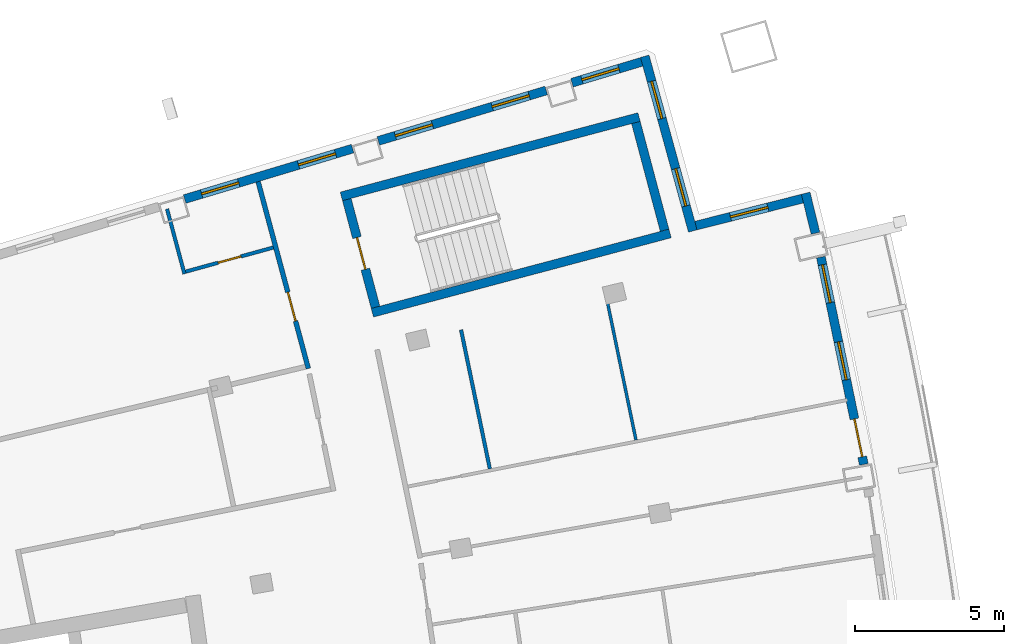
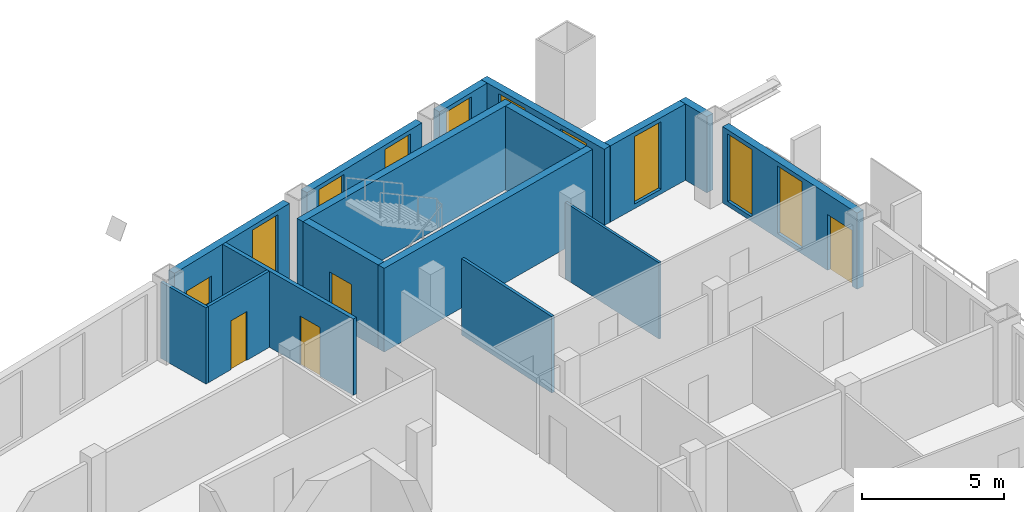
# One storey, part 13 of 17: 16 walls, 10 windows, 4 doors, 14 openings.
"""IFC4 building model written with IfcOpenShell, lengths in metres."""

from ifc_helpers import new_model, si_unit, direction, frame, frame_2d, origin, place, context, subcontext, project, spatial, rectangle, extrude, material, layer, layer_set, type_object, element, fill, save


model = new_model("IFC4")

# Units and contexts
model_context = context("Model", 3, precision=1e-05, world=origin(), true_north=direction((0.0, 1.0)))
body_context = subcontext(model_context, "Body", "Model", "MODEL_VIEW")
ifc_project = project(units=[si_unit("LENGTHUNIT", "METRE"), si_unit("AREAUNIT", "SQUARE_METRE"), si_unit("VOLUMEUNIT", "CUBIC_METRE"), si_unit("PLANEANGLEUNIT", "RADIAN"), si_unit("MASSUNIT", "GRAM", prefix="KILO")], contexts=[model_context])

# Site, building, storey
site_placement = place(None, origin())
site = spatial("IfcSite", under=ifc_project, at=site_placement, CompositionType="ELEMENT")
building_placement = place(site_placement, origin())
building = spatial("IfcBuilding", under=site, at=building_placement, Name="Alderwake Tower", CompositionType="ELEMENT")
storey_placement = place(building_placement, frame((0.0, 0.0, 274.39990234375)))
storey = spatial("IfcBuildingStorey", under=building, at=storey_placement, Name="L68", CompositionType="ELEMENT", Elevation=274.39990234375)

# Walls
ifc_material_1 = material(Name="Concrete C70/85", Category="concrete")
ifc_layer_1 = layer(ifc_material_1, 0.300048828125)
ifc_layer_set_1 = layer_set([ifc_layer_1], Name="Core wall stair enclosure 300 C70-85")
wall_type_1 = type_object("IfcWallType", Name="Core wall stair enclosure 300 C70-85", PredefinedType="SHEAR", material=ifc_layer_set_1)
for number, where, z_axis, x_axis, name in (
    (1, (36.71142578125, 94.182373046875, 0.0), (0.0, 0.0, 1.0), (0.966309214305, 0.257383958996, 0.0), "Core wall CW.082"),
    (2, (37.75390625, 90.268798828125, 0.0), (0.0, 0.0, 1.0), (0.966309214305, 0.257383958996, 0.0), "Core wall CW.084"),
):
    element("IfcWall", number, at=place(storey_placement, frame(where, z_axis=z_axis, x_axis=x_axis)), inside=storey, type_object=wall_type_1, Name=name, PredefinedType="SHEAR", context=body_context, shape_type="SweptSolid", body=[
        extrude(rectangle(XDim=10.360107421875, YDim=0.300048828125, at=frame_2d((5.18017578125, 0.0))), origin(), (0.0, 0.0, 1.0), 3.60009765625),
    ])

# Wall, opening, door
wall_1_placement = place(storey_placement, frame((37.8603515625, 90.452392578125, 0.0), z_axis=(0.0, 0.0, 1.0), x_axis=(-0.257411420208, 0.966301899381, 0.0)))
wall_1 = element("IfcWall", 3, at=wall_1_placement, inside=storey, type_object=wall_type_1, Name="Core wall CW.083", PredefinedType="SHEAR", context=body_context, shape_type="SweptSolid", body=[
    extrude(rectangle(XDim=3.750244140625, YDim=0.300048828125, at=frame_2d((1.875, 0.0))), origin(), (0.0, 0.0, 1.0), 3.60009765625),
])
opening_1_placement = place(wall_1_placement, frame((1.324951171875, 0.0, 0.0)))
opening_1 = element("IfcOpeningElement", 4, at=opening_1_placement, cuts=wall_1, Name="Opening C062", PredefinedType="OPENING", context=body_context, shape_type="SweptSolid", body=[
    extrude(rectangle(XDim=1.10009765625, YDim=2.10009765625, at=frame_2d((0.550048828125, 1.050048828125))), frame((0.0, 0.159912109375, 0.0), z_axis=(0.0, -1.0, 0.0), x_axis=(1.0, 0.0, 0.0)), (0.0, 0.0, 1.0), 0.320068359375),
])
ifc_material_2 = material(Name="Steel-framed fire door leaf", Category="steel")
door_type_1 = type_object("IfcDoorType", Name="Core stair door 1100 fire-rated", OperationType="SINGLE_SWING_LEFT", PredefinedType="DOOR", material=ifc_material_2)
door_1_placement = place(opening_1_placement, origin())
door_1 = element("IfcDoor", 5, at=door_1_placement, inside=storey, type_object=door_type_1, Name="Stair door", OperationType="SINGLE_SWING_RIGHT", OverallHeight=2.10009765625, OverallWidth=1.10009765625, PredefinedType="DOOR", context=body_context, shape_type="SweptSolid", body=[
    extrude(rectangle(XDim=1.10009765625, YDim=2.10009765625, at=frame_2d((0.550048828125, 1.050048828125))), frame((0.0, 0.02490234375, 0.0), z_axis=(0.0, -1.0, 0.0), x_axis=(1.0, 0.0, 0.0)), (0.0, 0.0, 1.0), 0.050048828125),
])
fill(opening_1, door_1)

# Wall
wall_2_placement = place(storey_placement, frame((47.581298828125, 93.041748046875, 0.0), z_axis=(0.0, 0.0, 1.0), x_axis=(-0.257366821694, 0.966313778796, 0.0)))
element("IfcWall", 6, at=wall_2_placement, inside=storey, type_object=wall_type_1, Name="Core wall CW.081", PredefinedType="SHEAR", context=body_context, shape_type="SweptSolid", body=[
    extrude(rectangle(XDim=3.749755859375, YDim=0.300048828125, at=frame_2d((1.875, 0.0))), origin(), (0.0, 0.0, 1.0), 3.60009765625),
])

# Wall, opening, door
ifc_material_3 = material(Name="Gypsum board on metal studs, rated")
ifc_layer_2 = layer(ifc_material_3, 0.159912109375)
ifc_layer_set_2 = layer_set([ifc_layer_2], Name="Corridor wall 160")
wall_type_2 = type_object("IfcWallType", Name="Corridor wall 160", PredefinedType="PARTITIONING", material=ifc_layer_set_2)
wall_3_placement = place(storey_placement, frame((35.600830078125, 88.392578125, 0.0), z_axis=(0.0, 0.0, 1.0), x_axis=(-0.259509260101, 0.965740619381, 0.0)))
wall_3 = element("IfcWall", 7, at=wall_3_placement, inside=storey, type_object=wall_type_2, Name="WL/L68/W12", PredefinedType="PARTITIONING", context=body_context, shape_type="SweptSolid", body=[
    extrude(rectangle(XDim=6.50732421875, YDim=0.159912109375, at=frame_2d((3.253662109375, 0.0))), origin(), (0.0, 0.0, 1.0), 3.280029296875),
])
opening_2_placement = place(wall_3_placement, frame((1.65771484375, 0.0, 0.0)))
opening_2 = element("IfcOpeningElement", 8, at=opening_2_placement, cuts=wall_3, Name="Opening R19-U08.1", PredefinedType="OPENING", context=body_context, shape_type="SweptSolid", body=[
    extrude(rectangle(XDim=1.0, YDim=2.10009765625, at=frame_2d((0.5, 1.050048828125))), frame((0.0, 0.08984375, 0.0), z_axis=(0.0, -1.0, 0.0), x_axis=(1.0, 0.0, 0.0)), (0.0, 0.0, 1.0), 0.179931640625),
])
ifc_material_4 = material(Name="Solid timber leaf in steel frame", Category="steel")
door_type_2 = type_object("IfcDoorType", Name="Flat entrance door 1000 fire-rated", OperationType="SINGLE_SWING_LEFT", PredefinedType="DOOR", material=ifc_material_4)
door_2_placement = place(opening_2_placement, origin())
door_2 = element("IfcDoor", 9, at=door_2_placement, inside=storey, type_object=door_type_2, Name="DR/L68/U08.1", OperationType="SINGLE_SWING_LEFT", OverallHeight=2.10009765625, OverallWidth=1.0, PredefinedType="DOOR", context=body_context, shape_type="SweptSolid", body=[
    extrude(rectangle(XDim=1.0, YDim=2.10009765625, at=frame_2d((0.5, 1.050048828125))), frame((0.0, 0.02490234375, 0.0), z_axis=(0.0, -1.0, 0.0), x_axis=(1.0, 0.0, 0.0)), (0.0, 0.0, 1.0), 0.050048828125),
])
fill(opening_2, door_2)

# Wall, openings, door, windows
ifc_material_5 = material(Name="Precast concrete C50/60 spandrel panel", Category="concrete")
ifc_layer_3 = layer(ifc_material_5, 0.300048828125)
ifc_layer_set_3 = layer_set([ifc_layer_3], Name="External wall EW1 Precast concrete C50/60 spandrel")
wall_type_3 = type_object("IfcWallType", Name="External wall EW1 Precast concrete C50/60 spandrel", PredefinedType="SOLIDWALL", material=ifc_layer_set_3)
wall_4_placement = place(storey_placement, frame((54.280517578125, 85.169921875, 0.0), z_axis=(0.0, 0.0, 1.0), x_axis=(-0.202756509143, 0.979229185635, 0.0)))
wall_4 = element("IfcWall", 10, at=wall_4_placement, inside=storey, type_object=wall_type_3, Name="External wall 19", PredefinedType="SOLIDWALL", context=body_context, shape_type="SweptSolid", body=[
    extrude(rectangle(XDim=7.114990234375, YDim=0.300048828125, at=frame_2d((3.5576171875, 0.0))), origin(), (0.0, 0.0, 1.0), 3.280029296875),
])
opening_3_placement = place(wall_4_placement, frame((0.259521484375, 0.0, 0.0)))
opening_3 = element("IfcOpeningElement", 11, at=opening_3_placement, cuts=wall_4, Name="Opening D09", PredefinedType="OPENING", context=body_context, shape_type="SweptSolid", body=[
    extrude(rectangle(XDim=1.300048828125, YDim=2.39990234375, at=frame_2d((0.64990234375, 1.199951171875))), frame((0.0, 0.159912109375, 0.0), z_axis=(0.0, -1.0, 0.0), x_axis=(1.0, 0.0, 0.0)), (0.0, 0.0, 1.0), 0.320068359375),
])
opening_4_placement = place(wall_4_placement, frame((2.907470703125, 0.0, 0.199951171875)))
opening_4 = element("IfcOpeningElement", 12, at=opening_4_placement, cuts=wall_4, Name="Opening W1", PredefinedType="OPENING", context=body_context, shape_type="SweptSolid", body=[
    extrude(rectangle(XDim=1.300048828125, YDim=2.89990234375, at=frame_2d((0.64990234375, 1.449951171875))), frame((0.0, 0.159912109375, 0.0), z_axis=(0.0, -1.0, 0.0), x_axis=(1.0, 0.0, 0.0)), (0.0, 0.0, 1.0), 0.320068359375),
])
opening_5_placement = place(wall_4_placement, frame((5.555419921875, 0.0, 0.199951171875)))
opening_5 = element("IfcOpeningElement", 13, at=opening_5_placement, cuts=wall_4, Name="Opening W1", PredefinedType="OPENING", context=body_context, shape_type="SweptSolid", body=[
    extrude(rectangle(XDim=1.300048828125, YDim=2.89990234375, at=frame_2d((0.64990234375, 1.449951171875))), frame((0.0, 0.159912109375, 0.0), z_axis=(0.0, -1.0, 0.0), x_axis=(1.0, 0.0, 0.0)), (0.0, 0.0, 1.0), 0.320068359375),
])
ifc_material_6 = material(Name="Bronze tinted glass in aluminium frame", Category="aluminium")
door_type_3 = type_object("IfcDoorType", Name="Balcony door BD sliding", OperationType="SLIDING_TO_LEFT", PredefinedType="DOOR", material=ifc_material_6)
door_3_placement = place(opening_3_placement, origin())
door_3 = element("IfcDoor", 14, at=door_3_placement, inside=storey, type_object=door_type_3, Name="Door D09", OperationType="SLIDING_TO_LEFT", OverallHeight=2.39990234375, OverallWidth=1.300048828125, PredefinedType="DOOR", context=body_context, shape_type="SweptSolid", body=[
    extrude(rectangle(XDim=1.300048828125, YDim=2.39990234375, at=frame_2d((0.64990234375, 1.199951171875))), frame((0.0, 0.02490234375, 0.0), z_axis=(0.0, -1.0, 0.0), x_axis=(1.0, 0.0, 0.0)), (0.0, 0.0, 1.0), 0.050048828125),
])
fill(opening_3, door_3)
ifc_material_7 = material(Name="Bronze tinted glass in aluminium frame", Category="aluminium")
window_type_1 = type_object("IfcWindowType", Name="Window W1 tall fixed and vent", PartitioningType="DOUBLE_PANEL_VERTICAL", PredefinedType="WINDOW", material=ifc_material_7)
window_1_placement = place(opening_4_placement, origin())
window_1 = element("IfcWindow", 15, at=window_1_placement, inside=storey, type_object=window_type_1, Name="Window W1 tall fixed and vent", OverallHeight=2.89990234375, OverallWidth=1.300048828125, PartitioningType="DOUBLE_PANEL_VERTICAL", PredefinedType="WINDOW", context=body_context, shape_type="SweptSolid", body=[
    extrude(rectangle(XDim=1.300048828125, YDim=2.89990234375, at=frame_2d((0.64990234375, 1.449951171875))), frame((0.0, 0.030029296875, 0.0), z_axis=(0.0, -1.0, 0.0), x_axis=(1.0, 0.0, 0.0)), (0.0, 0.0, 1.0), 0.06005859375),
])
fill(opening_4, window_1)
window_2_placement = place(opening_5_placement, origin())
window_2 = element("IfcWindow", 16, at=window_2_placement, inside=storey, type_object=window_type_1, Name="Window W1 tall fixed and vent", OverallHeight=2.89990234375, OverallWidth=1.300048828125, PartitioningType="DOUBLE_PANEL_VERTICAL", PredefinedType="WINDOW", context=body_context, shape_type="SweptSolid", body=[
    extrude(rectangle(XDim=1.300048828125, YDim=2.89990234375, at=frame_2d((0.64990234375, 1.449951171875))), frame((0.0, 0.030029296875, 0.0), z_axis=(0.0, -1.0, 0.0), x_axis=(1.0, 0.0, 0.0)), (0.0, 0.0, 1.0), 0.06005859375),
])
fill(opening_5, window_2)

# Wall
wall_5_placement = place(storey_placement, frame((52.65576171875, 92.944091796875, 0.0), z_axis=(0.0, 0.0, 1.0), x_axis=(-0.23842552744, 0.971160783735, 0.0)))
element("IfcWall", 17, at=wall_5_placement, inside=storey, type_object=wall_type_3, Name="External wall 20", PredefinedType="SOLIDWALL", context=body_context, shape_type="SweptSolid", body=[
    extrude(rectangle(XDim=1.384521484375, YDim=0.300048828125, at=frame_2d((0.6923828125, 0.0))), origin(), (0.0, 0.0, 1.0), 3.280029296875),
])

# Wall, opening, window
ifc_material_8 = material(Name="Bronze metal cladding on lightweight framing")
ifc_layer_4 = layer(ifc_material_8, 0.300048828125)
ifc_layer_set_4 = layer_set([ifc_layer_4], Name="External wall EW2 bronze metal cladding")
wall_type_4 = type_object("IfcWallType", Name="External wall EW2 bronze metal cladding", PredefinedType="SOLIDWALL", material=ifc_layer_set_4)
wall_6_placement = place(storey_placement, frame((52.216064453125, 94.106201171875, 0.0), z_axis=(0.0, 0.0, 1.0), x_axis=(-0.96941119971, -0.245442306614, 0.0)))
wall_6 = element("IfcWall", 18, at=wall_6_placement, inside=storey, type_object=wall_type_4, Name="External wall 21", PredefinedType="SOLIDWALL", context=body_context, shape_type="SweptSolid", body=[
    extrude(rectangle(XDim=3.6943359375, YDim=0.300048828125, at=frame_2d((1.84716796875, 0.0))), origin(), (0.0, 0.0, 1.0), 3.280029296875),
])
opening_6_placement = place(wall_6_placement, frame((1.197021484375, 0.0, 0.199951171875)))
opening_6 = element("IfcOpeningElement", 19, at=opening_6_placement, cuts=wall_6, Name="Opening W1", PredefinedType="OPENING", context=body_context, shape_type="SweptSolid", body=[
    extrude(rectangle(XDim=1.300048828125, YDim=2.89990234375, at=frame_2d((0.64990234375, 1.449951171875))), frame((0.0, 0.159912109375, 0.0), z_axis=(0.0, -1.0, 0.0), x_axis=(1.0, 0.0, 0.0)), (0.0, 0.0, 1.0), 0.320068359375),
])
window_3_placement = place(opening_6_placement, origin())
window_3 = element("IfcWindow", 20, at=window_3_placement, inside=storey, type_object=window_type_1, Name="Window W1 tall fixed and vent", OverallHeight=2.89990234375, OverallWidth=1.300048828125, PartitioningType="DOUBLE_PANEL_VERTICAL", PredefinedType="WINDOW", context=body_context, shape_type="SweptSolid", body=[
    extrude(rectangle(XDim=1.300048828125, YDim=2.89990234375, at=frame_2d((0.64990234375, 1.449951171875))), frame((0.0, 0.030029296875, 0.0), z_axis=(0.0, -1.0, 0.0), x_axis=(1.0, 0.0, 0.0)), (0.0, 0.0, 1.0), 0.06005859375),
])
fill(opening_6, window_3)

# Wall, openings, windows
wall_7_placement = place(storey_placement, frame((48.529052734375, 93.01806640625, 0.0), z_axis=(0.0, 0.0, 1.0), x_axis=(-0.265045678323, 0.964235857248, 0.0)))
wall_7 = element("IfcWall", 21, at=wall_7_placement, inside=storey, type_object=wall_type_4, Name="External wall 22", PredefinedType="SOLIDWALL", context=body_context, shape_type="SweptSolid", body=[
    extrude(rectangle(XDim=6.09423828125, YDim=0.300048828125, at=frame_2d((3.047119140625, 0.0))), origin(), (0.0, 0.0, 1.0), 3.280029296875),
])
opening_7_placement = place(wall_7_placement, frame((0.87353515625, 0.0, 0.199951171875)))
opening_7 = element("IfcOpeningElement", 22, at=opening_7_placement, cuts=wall_7, Name="Opening W1", PredefinedType="OPENING", context=body_context, shape_type="SweptSolid", body=[
    extrude(rectangle(XDim=1.300048828125, YDim=2.89990234375, at=frame_2d((0.64990234375, 1.449951171875))), frame((0.0, 0.159912109375, 0.0), z_axis=(0.0, -1.0, 0.0), x_axis=(1.0, 0.0, 0.0)), (0.0, 0.0, 1.0), 0.320068359375),
])
opening_8_placement = place(wall_7_placement, frame((3.920654296875, 0.0, 0.199951171875)))
opening_8 = element("IfcOpeningElement", 23, at=opening_8_placement, cuts=wall_7, Name="Opening W1", PredefinedType="OPENING", context=body_context, shape_type="SweptSolid", body=[
    extrude(rectangle(XDim=1.300048828125, YDim=2.89990234375, at=frame_2d((0.64990234375, 1.449951171875))), frame((0.0, 0.159912109375, 0.0), z_axis=(0.0, -1.0, 0.0), x_axis=(1.0, 0.0, 0.0)), (0.0, 0.0, 1.0), 0.320068359375),
])
window_4_placement = place(opening_7_placement, origin())
window_4 = element("IfcWindow", 24, at=window_4_placement, inside=storey, type_object=window_type_1, Name="Window W1 tall fixed and vent", OverallHeight=2.89990234375, OverallWidth=1.300048828125, PartitioningType="DOUBLE_PANEL_VERTICAL", PredefinedType="WINDOW", context=body_context, shape_type="SweptSolid", body=[
    extrude(rectangle(XDim=1.300048828125, YDim=2.89990234375, at=frame_2d((0.64990234375, 1.449951171875))), frame((0.0, 0.030029296875, 0.0), z_axis=(0.0, -1.0, 0.0), x_axis=(1.0, 0.0, 0.0)), (0.0, 0.0, 1.0), 0.06005859375),
])
fill(opening_7, window_4)
window_5_placement = place(opening_8_placement, origin())
window_5 = element("IfcWindow", 25, at=window_5_placement, inside=storey, type_object=window_type_1, Name="Window W1 tall fixed and vent", OverallHeight=2.89990234375, OverallWidth=1.300048828125, PartitioningType="DOUBLE_PANEL_VERTICAL", PredefinedType="WINDOW", context=body_context, shape_type="SweptSolid", body=[
    extrude(rectangle(XDim=1.300048828125, YDim=2.89990234375, at=frame_2d((0.64990234375, 1.449951171875))), frame((0.0, 0.030029296875, 0.0), z_axis=(0.0, -1.0, 0.0), x_axis=(1.0, 0.0, 0.0)), (0.0, 0.0, 1.0), 0.06005859375),
])
fill(opening_8, window_5)

# Wall, opening, window
wall_8_placement = place(storey_placement, frame((46.809814453125, 98.70654296875, 0.0), z_axis=(0.0, 0.0, 1.0), x_axis=(-0.957774080788, -0.287521842946, 0.0)))
wall_8 = element("IfcWall", 26, at=wall_8_placement, inside=storey, type_object=wall_type_4, Name="External wall 23", PredefinedType="SOLIDWALL", context=body_context, shape_type="SweptSolid", body=[
    extrude(rectangle(XDim=2.4462890625, YDim=0.300048828125, at=frame_2d((1.22314453125, 0.0))), origin(), (0.0, 0.0, 1.0), 3.280029296875),
])
opening_9_placement = place(wall_8_placement, frame((0.799072265625, 0.0, 0.199951171875)))
opening_9 = element("IfcOpeningElement", 27, at=opening_9_placement, cuts=wall_8, Name="Opening W1", PredefinedType="OPENING", context=body_context, shape_type="SweptSolid", body=[
    extrude(rectangle(XDim=1.300048828125, YDim=2.89990234375, at=frame_2d((0.64990234375, 1.449951171875))), frame((0.0, 0.159912109375, 0.0), z_axis=(0.0, -1.0, 0.0), x_axis=(1.0, 0.0, 0.0)), (0.0, 0.0, 1.0), 0.320068359375),
])
window_6_placement = place(opening_9_placement, origin())
window_6 = element("IfcWindow", 28, at=window_6_placement, inside=storey, type_object=window_type_1, Name="Window W1 tall fixed and vent", OverallHeight=2.89990234375, OverallWidth=1.300048828125, PartitioningType="DOUBLE_PANEL_VERTICAL", PredefinedType="WINDOW", context=body_context, shape_type="SweptSolid", body=[
    extrude(rectangle(XDim=1.300048828125, YDim=2.89990234375, at=frame_2d((0.64990234375, 1.449951171875))), frame((0.0, 0.030029296875, 0.0), z_axis=(0.0, -1.0, 0.0), x_axis=(1.0, 0.0, 0.0)), (0.0, 0.0, 1.0), 0.06005859375),
])
fill(opening_9, window_6)

# Wall, openings, windows
wall_9_placement = place(storey_placement, frame((43.601806640625, 97.743408203125, 0.0), z_axis=(0.0, 0.0, 1.0), x_axis=(-0.957760170947, -0.287568174436, 0.0)))
wall_9 = element("IfcWall", 29, at=wall_9_placement, inside=storey, type_object=wall_type_4, Name="External wall 24", PredefinedType="SOLIDWALL", context=body_context, shape_type="SweptSolid", body=[
    extrude(rectangle(XDim=5.89697265625, YDim=0.300048828125, at=frame_2d((2.948486328125, 0.0))), origin(), (0.0, 0.0, 1.0), 3.280029296875),
])
opening_10_placement = place(wall_9_placement, frame((0.598388671875, 0.0, 0.199951171875)))
opening_10 = element("IfcOpeningElement", 30, at=opening_10_placement, cuts=wall_9, Name="Opening W1", PredefinedType="OPENING", context=body_context, shape_type="SweptSolid", body=[
    extrude(rectangle(XDim=1.300048828125, YDim=2.89990234375, at=frame_2d((0.64990234375, 1.449951171875))), frame((0.0, 0.159912109375, 0.0), z_axis=(0.0, -1.0, 0.0), x_axis=(1.0, 0.0, 0.0)), (0.0, 0.0, 1.0), 0.320068359375),
])
opening_11_placement = place(wall_9_placement, frame((3.99853515625, 0.0, 0.199951171875)))
opening_11 = element("IfcOpeningElement", 31, at=opening_11_placement, cuts=wall_9, Name="Opening W1", PredefinedType="OPENING", context=body_context, shape_type="SweptSolid", body=[
    extrude(rectangle(XDim=1.300048828125, YDim=2.89990234375, at=frame_2d((0.64990234375, 1.449951171875))), frame((0.0, 0.159912109375, 0.0), z_axis=(0.0, -1.0, 0.0), x_axis=(1.0, 0.0, 0.0)), (0.0, 0.0, 1.0), 0.320068359375),
])
window_7_placement = place(opening_10_placement, origin())
window_7 = element("IfcWindow", 32, at=window_7_placement, inside=storey, type_object=window_type_1, Name="Window W1 tall fixed and vent", OverallHeight=2.89990234375, OverallWidth=1.300048828125, PartitioningType="DOUBLE_PANEL_VERTICAL", PredefinedType="WINDOW", context=body_context, shape_type="SweptSolid", body=[
    extrude(rectangle(XDim=1.300048828125, YDim=2.89990234375, at=frame_2d((0.64990234375, 1.449951171875))), frame((0.0, 0.030029296875, 0.0), z_axis=(0.0, -1.0, 0.0), x_axis=(1.0, 0.0, 0.0)), (0.0, 0.0, 1.0), 0.06005859375),
])
fill(opening_10, window_7)
window_8_placement = place(opening_11_placement, origin())
window_8 = element("IfcWindow", 33, at=window_8_placement, inside=storey, type_object=window_type_1, Name="Window W1 tall fixed and vent", OverallHeight=2.89990234375, OverallWidth=1.300048828125, PartitioningType="DOUBLE_PANEL_VERTICAL", PredefinedType="WINDOW", context=body_context, shape_type="SweptSolid", body=[
    extrude(rectangle(XDim=1.300048828125, YDim=2.89990234375, at=frame_2d((0.64990234375, 1.449951171875))), frame((0.0, 0.030029296875, 0.0), z_axis=(0.0, -1.0, 0.0), x_axis=(1.0, 0.0, 0.0)), (0.0, 0.0, 1.0), 0.06005859375),
])
fill(opening_11, window_8)

wall_10_placement = place(storey_placement, frame((37.088623046875, 95.7880859375, 0.0), z_axis=(0.0, 0.0, 1.0), x_axis=(-0.957753322858, -0.287590981349, 0.0)))
wall_10 = element("IfcWall", 34, at=wall_10_placement, inside=storey, type_object=wall_type_4, Name="External wall 25", PredefinedType="SOLIDWALL", context=body_context, shape_type="SweptSolid", body=[
    extrude(rectangle(XDim=5.896484375, YDim=0.300048828125, at=frame_2d((2.9482421875, 0.0))), origin(), (0.0, 0.0, 1.0), 3.280029296875),
])
opening_12_placement = place(wall_10_placement, frame((0.598388671875, 0.0, 0.199951171875)))
opening_12 = element("IfcOpeningElement", 35, at=opening_12_placement, cuts=wall_10, Name="Opening W1", PredefinedType="OPENING", context=body_context, shape_type="SweptSolid", body=[
    extrude(rectangle(XDim=1.300048828125, YDim=2.89990234375, at=frame_2d((0.64990234375, 1.449951171875))), frame((0.0, 0.159912109375, 0.0), z_axis=(0.0, -1.0, 0.0), x_axis=(1.0, 0.0, 0.0)), (0.0, 0.0, 1.0), 0.320068359375),
])
opening_13_placement = place(wall_10_placement, frame((3.998291015625, 0.0, 1.0)))
opening_13 = element("IfcOpeningElement", 36, at=opening_13_placement, cuts=wall_10, Name="Opening W2", PredefinedType="OPENING", context=body_context, shape_type="SweptSolid", body=[
    extrude(rectangle(XDim=1.300048828125, YDim=1.199951171875, at=frame_2d((0.64990234375, 0.60009765625))), frame((0.0, 0.159912109375, 0.0), z_axis=(0.0, -1.0, 0.0), x_axis=(1.0, 0.0, 0.0)), (0.0, 0.0, 1.0), 0.320068359375),
])
window_9_placement = place(opening_12_placement, origin())
window_9 = element("IfcWindow", 37, at=window_9_placement, inside=storey, type_object=window_type_1, Name="Window W1 tall fixed and vent", OverallHeight=2.89990234375, OverallWidth=1.300048828125, PartitioningType="DOUBLE_PANEL_VERTICAL", PredefinedType="WINDOW", context=body_context, shape_type="SweptSolid", body=[
    extrude(rectangle(XDim=1.300048828125, YDim=2.89990234375, at=frame_2d((0.64990234375, 1.449951171875))), frame((0.0, 0.030029296875, 0.0), z_axis=(0.0, -1.0, 0.0), x_axis=(1.0, 0.0, 0.0)), (0.0, 0.0, 1.0), 0.06005859375),
])
fill(opening_12, window_9)
ifc_material_9 = material(Name="Bronze tinted glass in aluminium frame", Category="aluminium")
window_type_2 = type_object("IfcWindowType", Name="Window W2 kitchen and bath", PartitioningType="SINGLE_PANEL", PredefinedType="WINDOW", material=ifc_material_9)
window_10_placement = place(opening_13_placement, origin())
window_10 = element("IfcWindow", 38, at=window_10_placement, inside=storey, type_object=window_type_2, Name="Window W2 kitchen and bath", OverallHeight=1.199951171875, OverallWidth=1.300048828125, PartitioningType="SINGLE_PANEL", PredefinedType="WINDOW", context=body_context, shape_type="SweptSolid", body=[
    extrude(rectangle(XDim=1.300048828125, YDim=1.199951171875, at=frame_2d((0.64990234375, 0.60009765625))), frame((0.0, 0.030029296875, 0.0), z_axis=(0.0, -1.0, 0.0), x_axis=(1.0, 0.0, 0.0)), (0.0, 0.0, 1.0), 0.06005859375),
])
fill(opening_13, window_10)

# Walls
ifc_material_10 = material(Name="Gypsum board on metal studs")
ifc_layer_5 = layer(ifc_material_10, 0.10009765625)
ifc_layer_set_5 = layer_set([ifc_layer_5], Name="Unit partition 100")
wall_type_5 = type_object("IfcWallType", Name="Unit partition 100", PredefinedType="PARTITIONING", material=ifc_layer_set_5)
wall_11_placement = place(storey_placement, frame((46.618896484375, 85.987060546875, 0.0), z_axis=(0.0, 0.0, 1.0), x_axis=(-0.202660853236, 0.979248987013, 0.0)))
element("IfcWall", 39, at=wall_11_placement, inside=storey, type_object=wall_type_5, Name="WL/L68/W47", PredefinedType="PARTITIONING", context=body_context, shape_type="SweptSolid", body=[
    extrude(rectangle(XDim=4.968017578125, YDim=0.10009765625, at=frame_2d((2.48388671875, 0.0))), origin(), (0.0, 0.0, 1.0), 3.280029296875),
])
ifc_material_11 = material(Name="Moisture resistant gypsum board on metal studs")
ifc_layer_6 = layer(ifc_material_11, 0.1201171875)
ifc_layer_set_6 = layer_set([ifc_layer_6], Name="Wet room partition 120")
wall_type_6 = type_object("IfcWallType", Name="Wet room partition 120", PredefinedType="PARTITIONING", material=ifc_layer_set_6)
wall_12_placement = place(storey_placement, frame((30.84912109375, 93.759033203125, 0.0), z_axis=(0.0, 0.0, 1.0), x_axis=(0.259155613864, -0.965835580108, 0.0)))
element("IfcWall", 40, at=wall_12_placement, inside=storey, type_object=wall_type_6, Name="WL/L68/W26", PredefinedType="PARTITIONING", context=body_context, shape_type="SweptSolid", body=[
    extrude(rectangle(XDim=2.259033203125, YDim=0.1201171875, at=frame_2d((1.12939453125, 0.0))), origin(), (0.0, 0.0, 1.0), 3.280029296875),
])

# Wall, opening, door
wall_13_placement = place(storey_placement, frame((31.476806640625, 91.65087890625, 0.0), z_axis=(0.0, 0.0, 1.0), x_axis=(0.964118102321, 0.265473698843, 0.0)))
wall_13 = element("IfcWall", 41, at=wall_13_placement, inside=storey, type_object=wall_type_6, Name="WL/L68/W28", PredefinedType="PARTITIONING", context=body_context, shape_type="SweptSolid", body=[
    extrude(rectangle(XDim=3.058837890625, YDim=0.1201171875, at=frame_2d((1.529296875, 0.0))), origin(), (0.0, 0.0, 1.0), 3.280029296875),
])
opening_14_placement = place(wall_13_placement, frame((1.12939453125, 0.0, 0.0)))
opening_14 = element("IfcOpeningElement", 42, at=opening_14_placement, cuts=wall_13, Name="Opening R19-U08.2", PredefinedType="OPENING", context=body_context, shape_type="SweptSolid", body=[
    extrude(rectangle(XDim=0.800048828125, YDim=2.10009765625, at=frame_2d((0.39990234375, 1.050048828125))), frame((0.0, 0.070068359375, 0.0), z_axis=(0.0, -1.0, 0.0), x_axis=(1.0, 0.0, 0.0)), (0.0, 0.0, 1.0), 0.14013671875),
])
ifc_material_12 = material(Name="Painted timber leaf", Category="wood")
door_type_4 = type_object("IfcDoorType", Name="Bathroom door 800", OperationType="SINGLE_SWING_LEFT", PredefinedType="DOOR", material=ifc_material_12)
door_4_placement = place(opening_14_placement, origin())
door_4 = element("IfcDoor", 43, at=door_4_placement, inside=storey, type_object=door_type_4, Name="DR/L68/U08.2", OperationType="SINGLE_SWING_LEFT", OverallHeight=2.10009765625, OverallWidth=0.800048828125, PredefinedType="DOOR", context=body_context, shape_type="SweptSolid", body=[
    extrude(rectangle(XDim=0.800048828125, YDim=2.10009765625, at=frame_2d((0.39990234375, 1.050048828125))), frame((0.0, 0.02490234375, 0.0), z_axis=(0.0, -1.0, 0.0), x_axis=(1.0, 0.0, 0.0)), (0.0, 0.0, 1.0), 0.050048828125),
])
fill(opening_14, door_4)

# Wall
wall_14_placement = place(storey_placement, frame((41.704833984375, 85.01806640625, 0.0), z_axis=(0.0, 0.0, 1.0), x_axis=(-0.202669848328, 0.979247125387, 0.0)))
element("IfcWall", 44, at=wall_14_placement, inside=storey, type_object=wall_type_6, Name="WL/L68/W31", PredefinedType="PARTITIONING", context=body_context, shape_type="SweptSolid", body=[
    extrude(rectangle(XDim=4.775146484375, YDim=0.1201171875, at=frame_2d((2.3876953125, 0.0))), origin(), (0.0, 0.0, 1.0), 3.280029296875),
])

save(model, "model.ifc")
